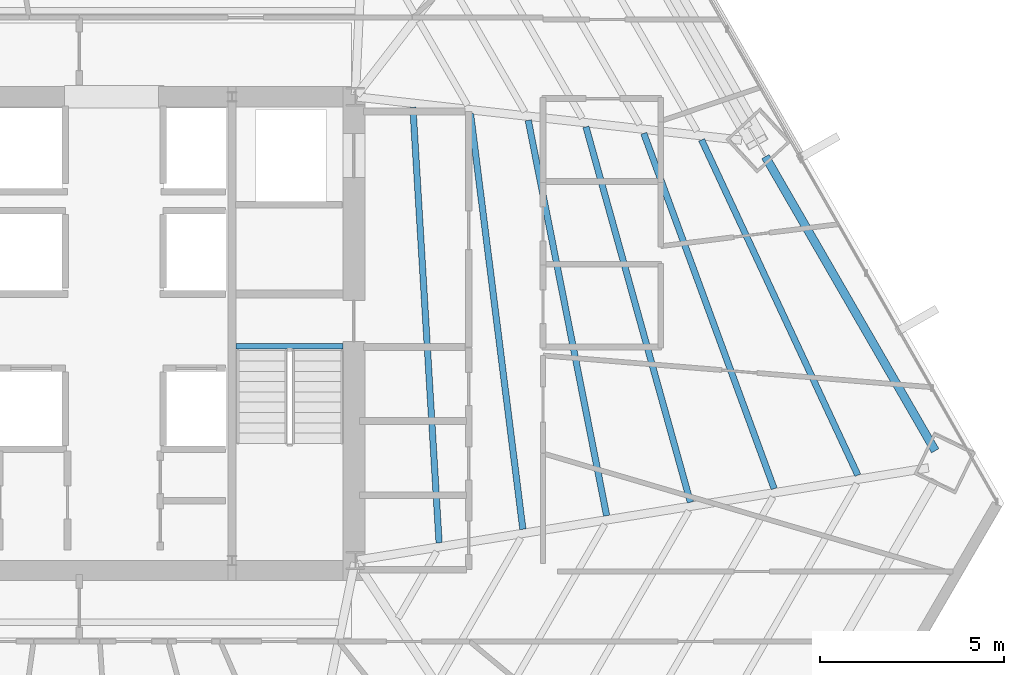
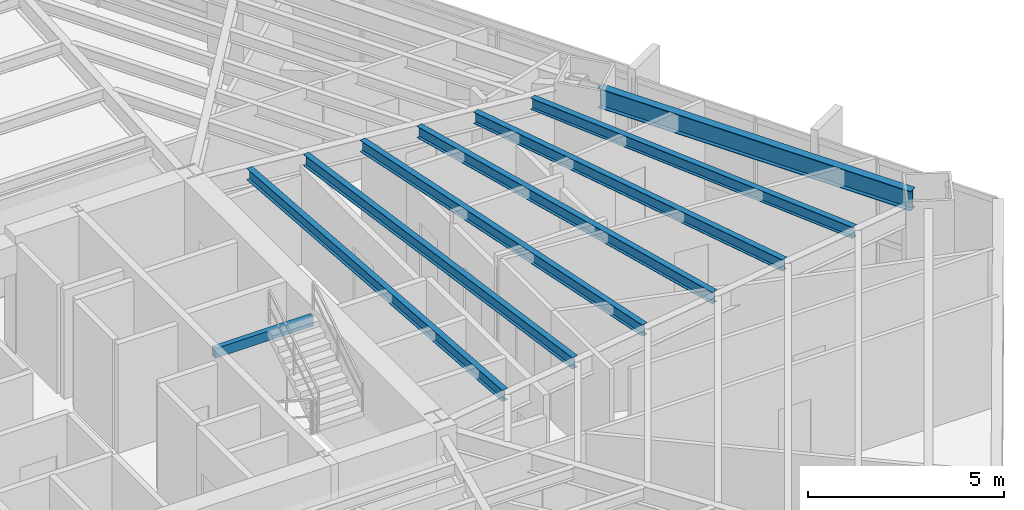
# One storey, part 21 of 38: 8 beams.
"""IFC4 building model written with IfcOpenShell, lengths in metres."""

from ifc_helpers import new_model, si_unit, direction, frame, origin, origin_2d, place, context, subcontext, project, spatial, hollow_rectangle, i_section, extrude, source, transform, mapped, material, material_profile, profile_set, type_object, type_shapes, element, save


model = new_model("IFC4")

# Units and contexts
model_context = context("Model", 3, precision=1e-05, world=origin(), true_north=direction((0.0, 1.0)))
body_context = subcontext(model_context, "Body", "Model", "MODEL_VIEW")
ifc_project = project(units=[si_unit("LENGTHUNIT", "METRE"), si_unit("AREAUNIT", "SQUARE_METRE"), si_unit("VOLUMEUNIT", "CUBIC_METRE"), si_unit("PLANEANGLEUNIT", "RADIAN"), si_unit("MASSUNIT", "GRAM", prefix="KILO")], contexts=[model_context])

# Site, building, storey
site_placement = place(None, origin())
site = spatial("IfcSite", under=ifc_project, at=site_placement, CompositionType="ELEMENT")
building_placement = place(site_placement, origin())
building = spatial("IfcBuilding", under=site, at=building_placement, Name="Caelisora Broadcast Tower", CompositionType="ELEMENT")
storey_placement = place(building_placement, frame((0.0, 0.0, 67.75)))
storey = spatial("IfcBuildingStorey", under=building, at=storey_placement, Name="L17", CompositionType="ELEMENT", Elevation=67.75)

# Beams
ifc_material_1 = material(Name="Steel Grade 350 (AS/NZS 1163 C350L0)", Category="steel")
ifc_material_profile_1 = material_profile(ifc_material_1, hollow_rectangle(XDim=0.14990234375, YDim=0.300048828125, WallThickness=0.010009765625, at=origin_2d()), Name="Steel Grade 350 (AS/NZS 1163 C350L0)")
ifc_profile_set_1 = profile_set([ifc_material_profile_1], Name="Steel Grade 350 (AS/NZS 1163 C350L0)")
beam_type_1 = type_object("IfcBeamType", Name="SB05", PredefinedType="JOIST", material=ifc_profile_set_1)
shared_shape_1 = source(origin(), body_context, "Body", "SweptSolid", [
    extrude(hollow_rectangle(XDim=0.14990234375, YDim=0.300048828125, WallThickness=0.010009765625, at=origin_2d()), origin(), (0.0, 0.0, 1.0), 2.89990234375),
])
type_shapes(beam_type_1, [shared_shape_1])
beam_1_placement = place(storey_placement, frame((42.260009765625, 23.219970703125, 3.25), z_axis=(1.0, 0.0, 0.0), x_axis=(0.0, 1.0, 0.0)))
element("IfcBeam", 1, at=beam_1_placement, inside=storey, type_object=beam_type_1, Name="L17 beam SB05", PredefinedType="JOIST", context=body_context, shape_type="MappedRepresentation", body=[
    mapped(shared_shape_1, transform((0.0, 0.0, 0.0), scale=1.0)),
])
ifc_material_2 = material(Name="Steel Grade 350 (AS/NZS 3679.1)", Category="steel")
ifc_material_profile_2 = material_profile(ifc_material_2, i_section(OverallWidth=0.22900390625, OverallDepth=0.611572265625, WebThickness=0.011962890625, FlangeThickness=0.01953125, at=origin_2d()), Name="Steel Grade 350 (AS/NZS 3679.1)")
ifc_profile_set_2 = profile_set([ifc_material_profile_2], Name="Steel Grade 350 (AS/NZS 3679.1)")
beam_type_2 = type_object("IfcBeamType", Name="PG03", PredefinedType="BEAM", material=ifc_profile_set_2)
shared_shape_2 = source(origin(), body_context, "Body", "SweptSolid", [
    extrude(i_section(OverallWidth=0.22900390625, OverallDepth=0.611572265625, WebThickness=0.011962890625, FlangeThickness=0.01953125, at=origin_2d()), origin(), (0.0, 0.0, 1.0), 9.22802734375),
])
type_shapes(beam_type_2, [shared_shape_2])
beam_2_placement = place(storey_placement, frame((61.257568359375, 20.3818359375, 3.09423828125), z_axis=(-0.500020165129, 0.866013761129, 0.0), x_axis=(-0.866013761129, -0.500020165129, 0.0)))
element("IfcBeam", 2, at=beam_2_placement, inside=storey, type_object=beam_type_2, Name="L17 beam PG03", PredefinedType="BEAM", context=body_context, shape_type="MappedRepresentation", body=[
    mapped(shared_shape_2, transform((0.0, 0.0, 0.0), scale=1.0)),
])
ifc_material_profile_3 = material_profile(ifc_material_2, i_section(OverallWidth=0.172119140625, OverallDepth=0.358642578125, WebThickness=0.008056640625, FlangeThickness=0.012939453125, at=origin_2d()), Name="Steel Grade 350 (AS/NZS 3679.1)")
ifc_profile_set_3 = profile_set([ifc_material_profile_3], Name="Steel Grade 350 (AS/NZS 3679.1)")
beam_type_3 = type_object("IfcBeamType", Name="SB02", PredefinedType="JOIST", material=ifc_profile_set_3)
shared_shape_3 = source(origin(), body_context, "Body", "SweptSolid", [
    extrude(i_section(OverallWidth=0.172119140625, OverallDepth=0.358642578125, WebThickness=0.008056640625, FlangeThickness=0.012939453125, at=origin_2d()), origin(), (0.0, 0.0, 1.0), 11.852783203125),
])
beam_3_placement = place(storey_placement, frame((47.777099609375, 17.880615234375, 3.220703125), z_axis=(-0.060000655311, 0.998198337688, 0.0), x_axis=(-0.998198337688, -0.060000655311, 0.0)))
element("IfcBeam", 3, at=beam_3_placement, inside=storey, type_object=beam_type_3, Name="L17 beam SB02", PredefinedType="JOIST", context=body_context, shape_type="MappedRepresentation", body=[
    mapped(shared_shape_3, transform((0.0, 0.0, 0.0), scale=1.0)),
])
shared_shape_4 = source(origin(), body_context, "Body", "SweptSolid", [
    extrude(i_section(OverallWidth=0.172119140625, OverallDepth=0.358642578125, WebThickness=0.008056640625, FlangeThickness=0.012939453125, at=origin_2d()), origin(), (0.0, 0.0, 1.0), 11.37646484375),
])
beam_4_placement = place(storey_placement, frame((50.053955078125, 18.248291015625, 3.220703125), z_axis=(-0.124961753744, 0.992161559476, 0.0), x_axis=(-0.992161559476, -0.124961753744, 0.0)))
element("IfcBeam", 4, at=beam_4_placement, inside=storey, type_object=beam_type_3, Name="L17 beam SB02", PredefinedType="JOIST", context=body_context, shape_type="MappedRepresentation", body=[
    mapped(shared_shape_4, transform((0.0, 0.0, 0.0), scale=1.0)),
])
shared_shape_5 = source(origin(), body_context, "Body", "SweptSolid", [
    extrude(i_section(OverallWidth=0.172119140625, OverallDepth=0.358642578125, WebThickness=0.008056640625, FlangeThickness=0.012939453125, at=origin_2d()), origin(), (0.0, 0.0, 1.0), 10.952392578125),
])
beam_5_placement = place(storey_placement, frame((52.330078125, 18.6162109375, 3.220703125), z_axis=(-0.194491176596, 0.980904267615, 0.0), x_axis=(-0.980904267615, -0.194491176596, 0.0)))
element("IfcBeam", 5, at=beam_5_placement, inside=storey, type_object=beam_type_3, Name="L17 beam SB02", PredefinedType="JOIST", context=body_context, shape_type="MappedRepresentation", body=[
    mapped(shared_shape_5, transform((0.0, 0.0, 0.0), scale=1.0)),
])
shared_shape_6 = source(origin(), body_context, "Body", "SweptSolid", [
    extrude(i_section(OverallWidth=0.172119140625, OverallDepth=0.358642578125, WebThickness=0.008056640625, FlangeThickness=0.012939453125, at=origin_2d()), origin(), (0.0, 0.0, 1.0), 10.586181640625),
])
beam_6_placement = place(storey_placement, frame((54.605712890625, 18.98388671875, 3.220703125), z_axis=(-0.268031608194, 0.963410118801, 0.0), x_axis=(-0.963410118801, -0.268031608194, 0.0)))
element("IfcBeam", 6, at=beam_6_placement, inside=storey, type_object=beam_type_3, Name="L17 beam SB02", PredefinedType="JOIST", context=body_context, shape_type="MappedRepresentation", body=[
    mapped(shared_shape_6, transform((0.0, 0.0, 0.0), scale=1.0)),
])
shared_shape_7 = source(origin(), body_context, "Body", "SweptSolid", [
    extrude(i_section(OverallWidth=0.172119140625, OverallDepth=0.358642578125, WebThickness=0.008056640625, FlangeThickness=0.012939453125, at=origin_2d()), origin(), (0.0, 0.0, 1.0), 10.28369140625),
])
beam_7_placement = place(storey_placement, frame((56.880615234375, 19.3515625, 3.220703125), z_axis=(-0.344475070828, 0.938795465252, 0.0), x_axis=(-0.938795465252, -0.344475070828, 0.0)))
element("IfcBeam", 7, at=beam_7_placement, inside=storey, type_object=beam_type_3, Name="L17 beam SB02", PredefinedType="JOIST", context=body_context, shape_type="MappedRepresentation", body=[
    mapped(shared_shape_7, transform((0.0, 0.0, 0.0), scale=1.0)),
])
shared_shape_8 = source(origin(), body_context, "Body", "SweptSolid", [
    extrude(i_section(OverallWidth=0.172119140625, OverallDepth=0.358642578125, WebThickness=0.008056640625, FlangeThickness=0.012939453125, at=origin_2d()), origin(), (0.0, 0.0, 1.0), 10.05078125),
])
type_shapes(beam_type_3, [shared_shape_3, shared_shape_4, shared_shape_5, shared_shape_6, shared_shape_7, shared_shape_8])
beam_8_placement = place(storey_placement, frame((59.15478515625, 19.718994140625, 3.220703125), z_axis=(-0.422393380549, 0.906412616896, 0.0), x_axis=(-0.906412616896, -0.422393380549, 0.0)))
element("IfcBeam", 8, at=beam_8_placement, inside=storey, type_object=beam_type_3, Name="L17 beam SB02", PredefinedType="JOIST", context=body_context, shape_type="MappedRepresentation", body=[
    mapped(shared_shape_8, transform((0.0, 0.0, 0.0), scale=1.0)),
])

save(model, "model.ifc")
